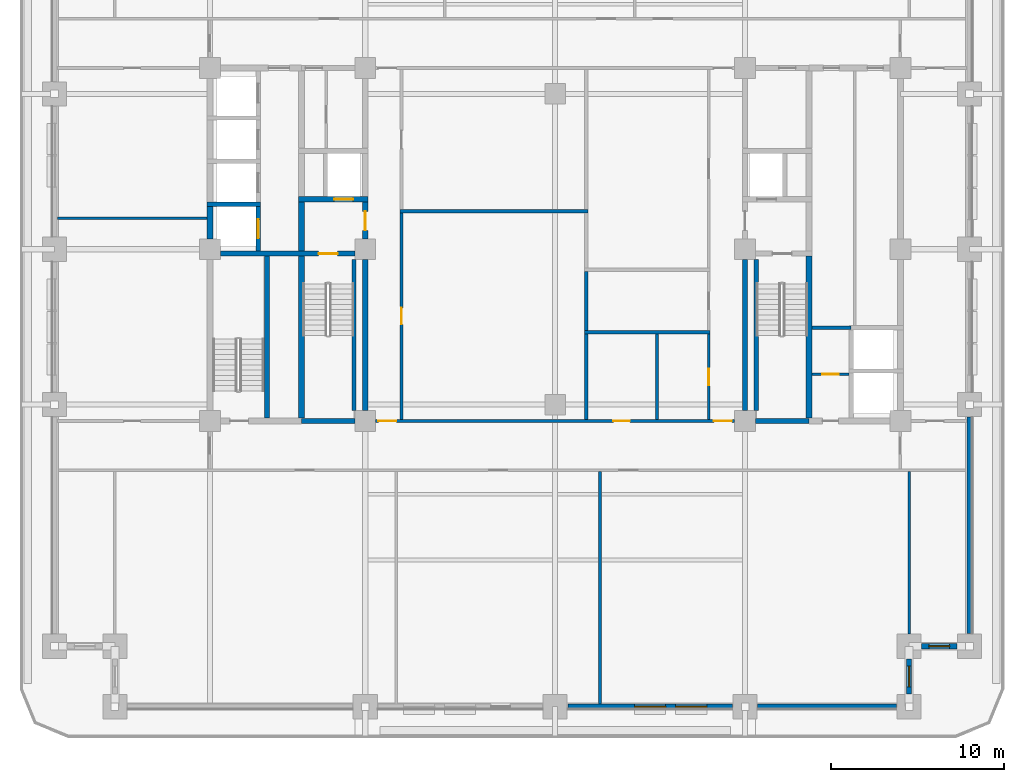
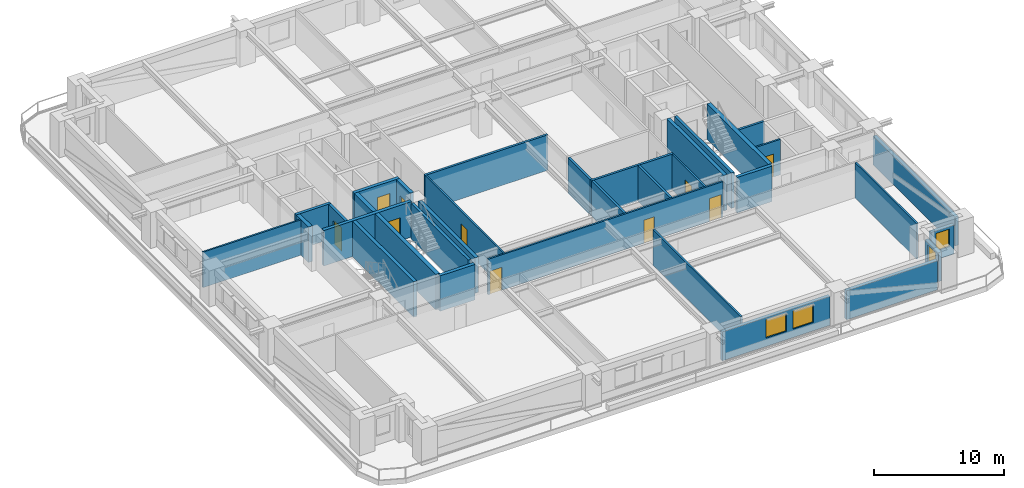
# One storey, part 3 of 14: 34 walls, 10 doors, 4 windows, 14 openings.
"""IFC4 building model written with IfcOpenShell, lengths in metres."""

import ifcopenshell
import ifcopenshell.guid

model = None  # the IFC model being written
_history = None  # IfcOwnerHistory: only IFC2X3 demands one
_inside = {}  # id of a spatial element -> (the spatial element, [elements in it])
_under = {}  # id of a project, library or spatial element -> (it, [spatial elements below it])
_declared = {}  # id of a project -> (the project, [libraries it declares])
_typed = {}  # id of a type object -> (the type object, [elements of that type])
_made_of = {}  # id of a material, layer set ... -> (it, [elements and type objects made of it])


def new_model(schema):
    """Start an empty IFC model of exactly this schema.

    Asked for "IFC4X3", IfcOpenShell would pick the latest addendum, in which some entities
    have other attributes; the version numbers below select the first issue.
    IFC2X3 requires an IfcOwnerHistory on every rooted entity: one is made here for all.
    """
    global model, _history
    if schema == "IFC4X3":
        model = ifcopenshell.file(schema_version=(4, 3, 0, 0))
    else:
        model = ifcopenshell.file(schema=schema)
    _inside.clear()
    _under.clear()
    _declared.clear()
    _typed.clear()
    _made_of.clear()
    _history = None
    if model.schema == "IFC2X3":
        org = make("IfcOrganization", Name="unknown")
        user = make(
            "IfcPersonAndOrganization",
            ThePerson=make("IfcPerson", FamilyName="unknown"),
            TheOrganization=org,
        )
        app = make(
            "IfcApplication",
            ApplicationDeveloper=org,
            Version="unknown",
            ApplicationFullName="unknown",
            ApplicationIdentifier="unknown",
        )
        _history = make(
            "IfcOwnerHistory",
            OwningUser=user,
            OwningApplication=app,
            ChangeAction="ADDED",
            CreationDate=0,
        )
    return model


def make(cls, **values):
    """One entity of the class cls with the attributes given. An attribute that is None is left unset."""
    return model.create_entity(
        cls, **{name: value for name, value in values.items() if value is not None}
    )


def rooted(cls, **values):
    """An entity with a GlobalId (a new one), such as an element, a storey or a relation."""
    return make(cls, GlobalId=ifcopenshell.guid.new(), OwnerHistory=_history, **values)


def si_unit(unit_type, name, prefix=None):
    """IfcSIUnit, for example si_unit("LENGTHUNIT", "METRE", prefix="MILLI")."""
    return make("IfcSIUnit", UnitType=unit_type, Prefix=prefix, Name=name)


def assignment(units):
    """IfcUnitAssignment: the units of a project."""
    return None if units is None else make("IfcUnitAssignment", Units=units)


def point(xyz):
    """IfcCartesianPoint."""
    return None if xyz is None else make("IfcCartesianPoint", Coordinates=xyz)


def direction(xyz):
    """IfcDirection."""
    return None if xyz is None else make("IfcDirection", DirectionRatios=xyz)


def frame(location, z_axis=None, x_axis=None):
    """IfcAxis2Placement3D, a coordinate frame: its origin and axes. An axis left out is left unset."""
    return make(
        "IfcAxis2Placement3D",
        Location=point(location),
        Axis=direction(z_axis),
        RefDirection=direction(x_axis),
    )


def frame_2d(location, x_axis=None):
    """IfcAxis2Placement2D, a coordinate frame in the plane: its origin and x axis."""
    return make(
        "IfcAxis2Placement2D", Location=point(location), RefDirection=direction(x_axis)
    )


def origin():
    """The frame at (0, 0, 0) with its axes left unset."""
    return frame((0.0, 0.0, 0.0))


def place(relative_to, where):
    """IfcLocalPlacement: puts the frame where relative to a parent placement (None: the world)."""
    return make(
        "IfcLocalPlacement", PlacementRelTo=relative_to, RelativePlacement=where
    )


def context(
    kind, dimensions, precision=None, world=None, true_north=None, identifier=None
):
    """IfcGeometricRepresentationContext, for example the 3D "Model" context."""
    return make(
        "IfcGeometricRepresentationContext",
        ContextIdentifier=identifier,
        ContextType=kind,
        CoordinateSpaceDimension=dimensions,
        Precision=precision,
        WorldCoordinateSystem=world,
        TrueNorth=true_north,
    )


def subcontext(parent, identifier, kind, view, scale=None):
    """IfcGeometricRepresentationSubContext, for example "Body" below "Model"."""
    return make(
        "IfcGeometricRepresentationSubContext",
        ContextIdentifier=identifier,
        ContextType=kind,
        ParentContext=parent,
        TargetScale=scale,
        TargetView=view,
    )


def project(units=None, contexts=None):
    """IfcProject with its units and contexts."""
    return rooted(
        "IfcProject",
        Name="project",
        RepresentationContexts=contexts,
        UnitsInContext=assignment(units),
    )


def spatial(cls, under=None, at=None, **own):
    """A site, building, storey or space (cls), placed at a placement, below another one or the project."""
    s = rooted(cls, ObjectPlacement=at, **own)
    if under is not None:
        _under.setdefault(under.id(), (under, []))[1].append(s)
    return s


def profile(cls, at=None, kind="AREA", **sizes):
    """A parametric profile (cls). Its sizes go by their IFC names, for example OverallWidth=200.0."""
    return make(cls, ProfileType=kind, Position=at, **sizes)


def rectangle(**sizes):
    """IfcRectangleProfileDef."""
    return profile("IfcRectangleProfileDef", **sizes)


def extrude(swept, where, along, depth):
    """IfcExtrudedAreaSolid: the profile swept, set in the frame where, extruded along a direction by depth."""
    return make(
        "IfcExtrudedAreaSolid",
        SweptArea=swept,
        Position=where,
        ExtrudedDirection=direction(along),
        Depth=depth,
    )


def shape(context_of_items, identifier, shape_type, items):
    """IfcShapeRepresentation: the items that make up one representation, for example the "Body"."""
    return make(
        "IfcShapeRepresentation",
        ContextOfItems=context_of_items,
        RepresentationIdentifier=identifier,
        RepresentationType=shape_type,
        Items=items,
    )


def material(Name=None, Category=None):
    """IfcMaterial."""
    return make("IfcMaterial", Name=Name, Category=Category)


def layer(
    of_material, thickness, ventilated=None, Name=None, Category=None, Priority=None
):
    """IfcMaterialLayer: one layer of a wall or slab, of a material (None: an air gap)."""
    return make(
        "IfcMaterialLayer",
        Material=of_material,
        LayerThickness=thickness,
        IsVentilated=ventilated,
        Name=Name,
        Category=Category,
        Priority=Priority,
    )


def layer_set(layers, Name=None):
    """IfcMaterialLayerSet."""
    return make("IfcMaterialLayerSet", MaterialLayers=layers, LayerSetName=Name)


def made_of(thing, what):
    """Note that an element or type object is made of a material, layer set ...; save() writes the relation."""
    if what is not None:
        _made_of.setdefault(what.id(), (what, []))[1].append(thing)
    return thing


def type_object(cls, material=None, **own):
    """A type object (cls), such as IfcWallType, which elements share."""
    return made_of(rooted(cls, **own), material)


def element(
    cls,
    number,
    at=None,
    inside=None,
    cuts=None,
    type_object=None,
    material=None,
    context=None,
    identifier="Body",
    shape_type=None,
    held_by="IfcProductDefinitionShape",
    body=None,
    shapes=None,
    **own,
):
    """One element of the class cls, such as IfcWall. Its Tag is "e" and its number.

    at: its placement. inside: the storey or other place that contains it. cuts: it is an
    opening in that element (IfcRelVoidsElement). A single representation is given by context,
    identifier, shape_type and body (its items); several are given by shapes. held_by: the class
    of the entity that holds the representations. save() writes the other relations.
    """
    e = rooted(cls, Tag="e%d" % number, ObjectPlacement=at, **own)
    if body is not None:
        shapes = [shape(context, identifier, shape_type, body)]
    if shapes is not None:
        e.Representation = make(held_by, Representations=shapes)
    if inside is not None:
        _inside.setdefault(inside.id(), (inside, []))[1].append(e)
    if cuts is not None:
        rooted(
            "IfcRelVoidsElement", RelatingBuildingElement=cuts, RelatedOpeningElement=e
        )
    if type_object is not None:
        _typed.setdefault(type_object.id(), (type_object, []))[1].append(e)
    return made_of(e, material)


def fill(opening, filler):
    """IfcRelFillsElement: the door or window that sits in an opening."""
    return rooted(
        "IfcRelFillsElement",
        RelatingOpeningElement=opening,
        RelatedBuildingElement=filler,
    )


def aggregate(whole, parts):
    """IfcRelAggregates: a whole, such as a stair, and the parts it consists of."""
    return rooted("IfcRelAggregates", RelatingObject=whole, RelatedObjects=parts)


def save(model, path):
    """Write the relations noted so far, then the file.

    IfcRelAggregates (storeys below a building ...), IfcRelContainedInSpatialStructure (elements
    in a storey), IfcRelDefinesByType, IfcRelAssociatesMaterial and IfcRelDeclares: one each for
    every whole, place, type object, material and project.
    """
    for whole, parts in _under.values():
        aggregate(whole, parts)
    for where, things in _inside.values():
        rooted(
            "IfcRelContainedInSpatialStructure",
            RelatedElements=things,
            RelatingStructure=where,
        )
    for kind, things in _typed.values():
        rooted("IfcRelDefinesByType", RelatedObjects=things, RelatingType=kind)
    for what, things in _made_of.values():
        rooted("IfcRelAssociatesMaterial", RelatedObjects=things, RelatingMaterial=what)
    for by, libraries in _declared.values():
        rooted("IfcRelDeclares", RelatingContext=by, RelatedDefinitions=libraries)
    model.write(path)


model = new_model("IFC4")

# Units and contexts
model_context = context("Model", 3, precision=1e-05, world=origin(), true_north=direction((0.0, 1.0)))
body_context = subcontext(model_context, "Body", "Model", "MODEL_VIEW")
ifc_project = project(units=[si_unit("LENGTHUNIT", "METRE"), si_unit("AREAUNIT", "SQUARE_METRE"), si_unit("VOLUMEUNIT", "CUBIC_METRE"), si_unit("PLANEANGLEUNIT", "RADIAN"), si_unit("MASSUNIT", "GRAM", prefix="KILO")], contexts=[model_context])

# Site, building, storey
site_placement = place(None, origin())
site = spatial("IfcSite", under=ifc_project, at=site_placement, CompositionType="ELEMENT")
building_placement = place(site_placement, origin())
building = spatial("IfcBuilding", under=site, at=building_placement, Name="Zulmaris Gate Convention Tower", CompositionType="ELEMENT")
storey_placement = place(building_placement, frame((0.0, 0.0, 64.329833984375)))
storey = spatial("IfcBuildingStorey", under=building, at=storey_placement, Name="L15", CompositionType="ELEMENT", Elevation=64.329833984375)

# Wall
ifc_material_1 = material(Name="Concrete C50/60", Category="concrete")
ifc_layer_1 = layer(ifc_material_1, 0.25, Name="Concrete C50/60")
ifc_layer_set_1 = layer_set([ifc_layer_1], Name="Concrete C50/60")
wall_type_1 = type_object("IfcWallType", Name="CORE-250", PredefinedType="SOLIDWALL", material=ifc_layer_set_1)
wall_1_placement = place(storey_placement, frame((-20.175048828125, 2.60009765625, 0.0), z_axis=(0.0, 0.0, 1.0), x_axis=(1.0, 0.0, 0.0)))
element("IfcWall", 1, at=wall_1_placement, inside=storey, type_object=wall_type_1, Name="WL-L15-009", PredefinedType="SOLIDWALL", context=body_context, shape_type="SweptSolid", body=[
    extrude(rectangle(XDim=3.10009765625, YDim=0.25, at=frame_2d((1.550048828125, 0.0))), origin(), (0.0, 0.0, 1.0), 3.320068359375),
])

# Wall, opening, door
wall_2_placement = place(storey_placement, frame((-17.199951171875, -0.097900390625, 0.0), z_axis=(0.0, 0.0, 1.0), x_axis=(0.0, 1.0, 0.0)))
wall_2 = element("IfcWall", 2, at=wall_2_placement, inside=storey, type_object=wall_type_1, Name="WL-L15-039", PredefinedType="SOLIDWALL", context=body_context, shape_type="SweptSolid", body=[
    extrude(rectangle(XDim=2.57080078125, YDim=0.25, at=frame_2d((1.285400390625, 0.0))), origin(), (0.0, 0.0, 1.0), 3.320068359375),
])
opening_1_placement = place(wall_2_placement, frame((0.722900390625, 0.0, 0.0)))
opening_1 = element("IfcOpeningElement", 3, at=opening_1_placement, cuts=wall_2, Name="Opening D-06", PredefinedType="OPENING", context=body_context, shape_type="SweptSolid", body=[
    extrude(rectangle(XDim=1.10009765625, YDim=2.199951171875, at=frame_2d((0.550048828125, 1.10009765625))), frame((0.0, 0.135009765625, 0.0), z_axis=(0.0, -1.0, 0.0), x_axis=(1.0, 0.0, 0.0)), (0.0, 0.0, 1.0), 0.27001953125),
])
ifc_material_2 = material(Name="Brushed Stainless Steel", Category="steel")
door_type_1 = type_object("IfcDoorType", Name="LD-1100", OperationType="NOTDEFINED", PredefinedType="DOOR", material=ifc_material_2)
door_1_placement = place(opening_1_placement, origin())
door_1 = element("IfcDoor", 4, at=door_1_placement, inside=storey, type_object=door_type_1, Name="L15 Lift Landing Door LP-01 12", OperationType="SLIDING_TO_LEFT", OverallHeight=2.199951171875, OverallWidth=1.10009765625, PredefinedType="DOOR", context=body_context, shape_type="SweptSolid", body=[
    extrude(rectangle(XDim=1.10009765625, YDim=2.199951171875, at=frame_2d((0.550048828125, 1.10009765625))), frame((0.0, 0.02490234375, 0.0), z_axis=(0.0, -1.0, 0.0), x_axis=(1.0, 0.0, 0.0)), (0.0, 0.0, 1.0), 0.050048828125),
])
fill(opening_1, door_1)

# Walls
for number, where, z_axis, x_axis, name in (
    (5, (-11.64990234375, -9.345947265625, 0.0), (0.0, 0.0, 1.0), (0.0, 1.0, 0.0), "WL-L15-049"),
    (6, (11.64990234375, -9.345947265625, 0.0), (0.0, 0.0, 1.0), (0.0, 1.0, 0.0), "WL-L15-058"),
):
    element("IfcWall", number, at=place(storey_placement, frame(where, z_axis=z_axis, x_axis=x_axis)), inside=storey, type_object=wall_type_1, Name=name, PredefinedType="SOLIDWALL", context=body_context, shape_type="SweptSolid", body=[
        extrude(rectangle(XDim=8.741943359375, YDim=0.25, at=frame_2d((4.37109375, 0.0))), origin(), (0.0, 0.0, 1.0), 3.320068359375),
    ])
ifc_layer_2 = layer(ifc_material_1, 0.300048828125, Name="Concrete C50/60")
ifc_layer_set_2 = layer_set([ifc_layer_2], Name="Concrete C50/60")
wall_type_2 = type_object("IfcWallType", Name="CORE-300", PredefinedType="SHEAR", material=ifc_layer_set_2)
for number, where, z_axis, x_axis, name in (
    (7, (-14.699951171875, -9.949951171875, 0.0), (0.0, 0.0, 1.0), (1.0, 0.0, 0.0), "WL-L15-002"),
    (8, (11.60400390625, -9.949951171875, 0.0), (0.0, 0.0, 1.0), (1.0, 0.0, 0.0), "WL-L15-003"),
):
    element("IfcWall", number, at=place(storey_placement, frame(where, z_axis=z_axis, x_axis=x_axis)), inside=storey, type_object=wall_type_2, Name=name, PredefinedType="SHEAR", context=body_context, shape_type="SweptSolid", body=[
        extrude(rectangle(XDim=3.095947265625, YDim=0.300048828125, at=frame_2d((1.5478515625, 0.0))), origin(), (0.0, 0.0, 1.0), 3.320068359375),
    ])

# Wall, opening, door
wall_3_placement = place(storey_placement, frame((-19.39599609375, -0.25, 0.0), z_axis=(0.0, 0.0, 1.0), x_axis=(1.0, 0.0, 0.0)))
wall_3 = element("IfcWall", 9, at=wall_3_placement, inside=storey, type_object=wall_type_2, Name="WL-L15-007", PredefinedType="SHEAR", context=body_context, shape_type="SweptSolid", body=[
    extrude(rectangle(XDim=7.7919921875, YDim=0.300048828125, at=frame_2d((3.89599609375, 0.0))), origin(), (0.0, 0.0, 1.0), 3.320068359375),
])
opening_2_placement = place(wall_3_placement, frame((5.696044921875, 0.0, 0.0)))
opening_2 = element("IfcOpeningElement", 10, at=opening_2_placement, cuts=wall_3, Name="Opening D-08", PredefinedType="OPENING", context=body_context, shape_type="SweptSolid", body=[
    extrude(rectangle(XDim=1.10009765625, YDim=2.14990234375, at=frame_2d((0.550048828125, 1.074951171875))), frame((0.0, 0.16015625, 0.0), z_axis=(0.0, -1.0, 0.0), x_axis=(1.0, 0.0, 0.0)), (0.0, 0.0, 1.0), 0.320068359375),
])
ifc_material_3 = material(Name="Fire-Rated Steel", Category="steel")
door_type_2 = type_object("IfcDoorType", Name="DR-1100-FD", OperationType="NOTDEFINED", PredefinedType="DOOR", material=ifc_material_3)
door_2_placement = place(opening_2_placement, origin())
door_2 = element("IfcDoor", 11, at=door_2_placement, inside=storey, type_object=door_type_2, Name="L15 Exit Stair ST-1 Door 01", OperationType="SINGLE_SWING_LEFT", OverallHeight=2.14990234375, OverallWidth=1.10009765625, PredefinedType="DOOR", context=body_context, shape_type="SweptSolid", body=[
    extrude(rectangle(XDim=1.10009765625, YDim=2.14990234375, at=frame_2d((0.550048828125, 1.074951171875))), frame((0.0, 0.02490234375, 0.0), z_axis=(0.0, -1.0, 0.0), x_axis=(1.0, 0.0, 0.0)), (0.0, 0.0, 1.0), 0.050048828125),
])
fill(opening_2, door_2)

wall_4_placement = place(storey_placement, frame((-14.875, 2.89990234375, 0.0), z_axis=(0.0, 0.0, 1.0), x_axis=(1.0, 0.0, 0.0)))
wall_4 = element("IfcWall", 12, at=wall_4_placement, inside=storey, type_object=wall_type_2, Name="WL-L15-010", PredefinedType="SHEAR", context=body_context, shape_type="SweptSolid", body=[
    extrude(rectangle(XDim=4.02490234375, YDim=0.300048828125, at=frame_2d((2.012451171875, 0.0))), origin(), (0.0, 0.0, 1.0), 3.320068359375),
])
opening_3_placement = place(wall_4_placement, frame((2.074951171875, 0.0, 0.0)))
opening_3 = element("IfcOpeningElement", 13, at=opening_3_placement, cuts=wall_4, Name="Opening D-06", PredefinedType="OPENING", context=body_context, shape_type="SweptSolid", body=[
    extrude(rectangle(XDim=1.10009765625, YDim=2.199951171875, at=frame_2d((0.550048828125, 1.10009765625))), frame((0.0, 0.16015625, 0.0), z_axis=(0.0, -1.0, 0.0), x_axis=(1.0, 0.0, 0.0)), (0.0, 0.0, 1.0), 0.320068359375),
])
door_3_placement = place(opening_3_placement, origin())
door_3 = element("IfcDoor", 14, at=door_3_placement, inside=storey, type_object=door_type_1, Name="L15 Lift Landing Door LF-01 03", OperationType="SLIDING_TO_LEFT", OverallHeight=2.199951171875, OverallWidth=1.10009765625, PredefinedType="DOOR", context=body_context, shape_type="SweptSolid", body=[
    extrude(rectangle(XDim=1.10009765625, YDim=2.199951171875, at=frame_2d((0.550048828125, 1.10009765625))), frame((0.0, 0.02490234375, 0.0), z_axis=(0.0, -1.0, 0.0), x_axis=(1.0, 0.0, 0.0)), (0.0, 0.0, 1.0), 0.050048828125),
])
fill(opening_3, door_3)

# Walls
wall_5_placement = place(storey_placement, frame((-16.699951171875, -9.77294921875, 0.0), z_axis=(0.0, 0.0, 1.0), x_axis=(0.0, 1.0, 0.0)))
element("IfcWall", 15, at=wall_5_placement, inside=storey, type_object=wall_type_2, Name="WL-L15-043", PredefinedType="SHEAR", context=body_context, shape_type="SweptSolid", body=[
    extrude(rectangle(XDim=9.370849609375, YDim=0.300048828125, at=frame_2d((4.685546875, 0.0))), origin(), (0.0, 0.0, 1.0), 3.320068359375),
])
wall_6_placement = place(storey_placement, frame((-11.0, -9.345947265625, 0.0), z_axis=(0.0, 0.0, 1.0), x_axis=(0.0, 1.0, 0.0)))
element("IfcWall", 16, at=wall_6_placement, inside=storey, type_object=wall_type_2, Name="WL-L15-050", PredefinedType="SHEAR", context=body_context, shape_type="SweptSolid", body=[
    extrude(rectangle(XDim=8.741943359375, YDim=0.300048828125, at=frame_2d((4.37109375, 0.0))), origin(), (0.0, 0.0, 1.0), 3.320068359375),
])

# Wall, opening, door
wall_7_placement = place(storey_placement, frame((-11.0, 0.60400390625, 0.0), z_axis=(0.0, 0.0, 1.0), x_axis=(0.0, 1.0, 0.0)))
wall_7 = element("IfcWall", 17, at=wall_7_placement, inside=storey, type_object=wall_type_2, Name="WL-L15-051", PredefinedType="SHEAR", context=body_context, shape_type="SweptSolid", body=[
    extrude(rectangle(XDim=2.14404296875, YDim=0.300048828125, at=frame_2d((1.072021484375, 0.0))), origin(), (0.0, 0.0, 1.0), 3.320068359375),
])
opening_4_placement = place(wall_7_placement, frame((0.49609375, 0.0, 0.0)))
opening_4 = element("IfcOpeningElement", 18, at=opening_4_placement, cuts=wall_7, Name="Opening D-08", PredefinedType="OPENING", context=body_context, shape_type="SweptSolid", body=[
    extrude(rectangle(XDim=1.10009765625, YDim=2.14990234375, at=frame_2d((0.550048828125, 1.074951171875))), frame((0.0, 0.16015625, 0.0), z_axis=(0.0, -1.0, 0.0), x_axis=(1.0, 0.0, 0.0)), (0.0, 0.0, 1.0), 0.320068359375),
])
door_4_placement = place(opening_4_placement, origin())
door_4 = element("IfcDoor", 19, at=door_4_placement, inside=storey, type_object=door_type_2, Name="L15 West Firefighting Lobby Door 02", OperationType="SINGLE_SWING_RIGHT", OverallHeight=2.14990234375, OverallWidth=1.10009765625, PredefinedType="DOOR", context=body_context, shape_type="SweptSolid", body=[
    extrude(rectangle(XDim=1.10009765625, YDim=2.14990234375, at=frame_2d((0.550048828125, 1.074951171875))), frame((0.0, 0.02490234375, 0.0), z_axis=(0.0, -1.0, 0.0), x_axis=(1.0, 0.0, 0.0)), (0.0, 0.0, 1.0), 0.050048828125),
])
fill(opening_4, door_4)

# Walls
wall_8_placement = place(storey_placement, frame((11.0, -9.345947265625, 0.0), z_axis=(0.0, 0.0, 1.0), x_axis=(0.0, 1.0, 0.0)))
element("IfcWall", 20, at=wall_8_placement, inside=storey, type_object=wall_type_2, Name="WL-L15-054", PredefinedType="SHEAR", context=body_context, shape_type="SweptSolid", body=[
    extrude(rectangle(XDim=8.741943359375, YDim=0.300048828125, at=frame_2d((4.37109375, 0.0))), origin(), (0.0, 0.0, 1.0), 3.320068359375),
])
ifc_material_4 = material(Name="Concrete C55/67", Category="concrete")
ifc_layer_3 = layer(ifc_material_4, 0.35009765625, Name="Concrete C55/67")
ifc_layer_set_3 = layer_set([ifc_layer_3], Name="Concrete C55/67")
wall_type_3 = type_object("IfcWallType", Name="CORE-350", PredefinedType="SHEAR", material=ifc_layer_set_3)
wall_9_placement = place(storey_placement, frame((-20.0, 0.60400390625, 0.0), z_axis=(0.0, 0.0, 1.0), x_axis=(0.0, 1.0, 0.0)))
element("IfcWall", 21, at=wall_9_placement, inside=storey, type_object=wall_type_3, Name="WL-L15-035", PredefinedType="SHEAR", context=body_context, shape_type="SweptSolid", body=[
    extrude(rectangle(XDim=1.868896484375, YDim=0.35009765625, at=frame_2d((0.9345703125, 0.0))), origin(), (0.0, 0.0, 1.0), 3.320068359375),
])
wall_10_placement = place(storey_placement, frame((-14.699951171875, -9.77294921875, 0.0), z_axis=(0.0, 0.0, 1.0), x_axis=(0.0, 1.0, 0.0)))
element("IfcWall", 22, at=wall_10_placement, inside=storey, type_object=wall_type_3, Name="WL-L15-044", PredefinedType="SHEAR", context=body_context, shape_type="SweptSolid", body=[
    extrude(rectangle(XDim=9.370849609375, YDim=0.35009765625, at=frame_2d((4.685546875, 0.0))), origin(), (0.0, 0.0, 1.0), 3.320068359375),
])
wall_11_placement = place(storey_placement, frame((-14.699951171875, -0.097900390625, 0.0), z_axis=(0.0, 0.0, 1.0), x_axis=(0.0, 1.0, 0.0)))
element("IfcWall", 23, at=wall_11_placement, inside=storey, type_object=wall_type_3, Name="WL-L15-045", PredefinedType="SHEAR", context=body_context, shape_type="SweptSolid", body=[
    extrude(rectangle(XDim=2.845947265625, YDim=0.35009765625, at=frame_2d((1.4228515625, 0.0))), origin(), (0.0, 0.0, 1.0), 3.320068359375),
])
wall_12_placement = place(storey_placement, frame((14.699951171875, -9.77294921875, 0.0), z_axis=(0.0, 0.0, 1.0), x_axis=(0.0, 1.0, 0.0)))
element("IfcWall", 24, at=wall_12_placement, inside=storey, type_object=wall_type_3, Name="WL-L15-060", PredefinedType="SHEAR", context=body_context, shape_type="SweptSolid", body=[
    extrude(rectangle(XDim=9.370849609375, YDim=0.35009765625, at=frame_2d((4.685546875, 0.0))), origin(), (0.0, 0.0, 1.0), 3.320068359375),
])

# Wall, openings, doors
ifc_material_5 = material(Name="Gypsum Metal Stud Partition")
ifc_layer_4 = layer(ifc_material_5, 0.14990234375, Name="Gypsum Metal Stud Partition")
ifc_layer_set_4 = layer_set([ifc_layer_4], Name="Gypsum Metal Stud Partition")
wall_type_4 = type_object("IfcWallType", Name="PART-150", PredefinedType="PARTITIONING", material=ifc_layer_set_4)
wall_13_placement = place(storey_placement, frame((-10.39404296875, -9.949951171875, 0.0), z_axis=(0.0, 0.0, 1.0), x_axis=(1.0, 0.0, 0.0)))
wall_13 = element("IfcWall", 25, at=wall_13_placement, inside=storey, type_object=wall_type_4, Name="WL-L15-022", PredefinedType="PARTITIONING", context=body_context, shape_type="SweptSolid", body=[
    extrude(rectangle(XDim=20.7880859375, YDim=0.14990234375, at=frame_2d((10.39404296875, 0.0))), origin(), (0.0, 0.0, 1.0), 3.320068359375),
])
opening_5_placement = place(wall_13_placement, frame((0.14990234375, 0.0, 0.0)))
opening_5 = element("IfcOpeningElement", 26, at=opening_5_placement, cuts=wall_13, Name="Opening D-09", PredefinedType="OPENING", context=body_context, shape_type="SweptSolid", body=[
    extrude(rectangle(XDim=1.050048828125, YDim=2.14990234375, at=frame_2d((0.52490234375, 1.074951171875))), frame((0.0, 0.0849609375, 0.0), z_axis=(0.0, -1.0, 0.0), x_axis=(1.0, 0.0, 0.0)), (0.0, 0.0, 1.0), 0.169921875),
])
opening_6_placement = place(wall_13_placement, frame((19.587890625, 0.0, 0.0)))
opening_6 = element("IfcOpeningElement", 27, at=opening_6_placement, cuts=wall_13, Name="Opening D-09", PredefinedType="OPENING", context=body_context, shape_type="SweptSolid", body=[
    extrude(rectangle(XDim=1.050048828125, YDim=2.14990234375, at=frame_2d((0.52490234375, 1.074951171875))), frame((0.0, 0.0849609375, 0.0), z_axis=(0.0, -1.0, 0.0), x_axis=(1.0, 0.0, 0.0)), (0.0, 0.0, 1.0), 0.169921875),
])
opening_7_placement = place(wall_13_placement, frame((13.76904296875, 0.0, 0.0)))
opening_7 = element("IfcOpeningElement", 28, at=opening_7_placement, cuts=wall_13, Name="Opening D-11", PredefinedType="OPENING", context=body_context, shape_type="SweptSolid", body=[
    extrude(rectangle(XDim=0.949951171875, YDim=2.14990234375, at=frame_2d((0.47509765625, 1.074951171875))), frame((0.0, 0.0849609375, 0.0), z_axis=(0.0, -1.0, 0.0), x_axis=(1.0, 0.0, 0.0)), (0.0, 0.0, 1.0), 0.169921875),
])
door_type_3 = type_object("IfcDoorType", Name="DR-1050-FD", OperationType="NOTDEFINED", PredefinedType="DOOR", material=ifc_material_3)
door_5_placement = place(opening_5_placement, origin())
door_5 = element("IfcDoor", 29, at=door_5_placement, inside=storey, type_object=door_type_3, Name="L15 SW Spine Link Door 21", OperationType="SINGLE_SWING_LEFT", OverallHeight=2.14990234375, OverallWidth=1.050048828125, PredefinedType="DOOR", context=body_context, shape_type="SweptSolid", body=[
    extrude(rectangle(XDim=1.050048828125, YDim=2.14990234375, at=frame_2d((0.52490234375, 1.074951171875))), frame((0.0, 0.02490234375, 0.0), z_axis=(0.0, -1.0, 0.0), x_axis=(1.0, 0.0, 0.0)), (0.0, 0.0, 1.0), 0.050048828125),
])
fill(opening_5, door_5)
door_6_placement = place(opening_6_placement, origin())
door_6 = element("IfcDoor", 30, at=door_6_placement, inside=storey, type_object=door_type_3, Name="L15 SE Spine Link Door 23", OperationType="SINGLE_SWING_LEFT", OverallHeight=2.14990234375, OverallWidth=1.050048828125, PredefinedType="DOOR", context=body_context, shape_type="SweptSolid", body=[
    extrude(rectangle(XDim=1.050048828125, YDim=2.14990234375, at=frame_2d((0.52490234375, 1.074951171875))), frame((0.0, 0.02490234375, 0.0), z_axis=(0.0, -1.0, 0.0), x_axis=(1.0, 0.0, 0.0)), (0.0, 0.0, 1.0), 0.050048828125),
])
fill(opening_6, door_6)
ifc_material_6 = material(Name="Fire-Rated Timber", Category="wood")
door_type_4 = type_object("IfcDoorType", Name="DR-950-FD", OperationType="NOTDEFINED", PredefinedType="DOOR", material=ifc_material_6)
door_7_placement = place(opening_7_placement, origin())
door_7 = element("IfcDoor", 31, at=door_7_placement, inside=storey, type_object=door_type_4, Name="L15 Print Room Door 35", OperationType="SINGLE_SWING_LEFT", OverallHeight=2.14990234375, OverallWidth=0.949951171875, PredefinedType="DOOR", context=body_context, shape_type="SweptSolid", body=[
    extrude(rectangle(XDim=0.949951171875, YDim=2.14990234375, at=frame_2d((0.47509765625, 1.074951171875))), frame((0.0, 0.02490234375, 0.0), z_axis=(0.0, -1.0, 0.0), x_axis=(1.0, 0.0, 0.0)), (0.0, 0.0, 1.0), 0.050048828125),
])
fill(opening_7, door_7)

# Wall, opening, door
wall_14_placement = place(storey_placement, frame((14.8779296875, -7.25, 0.0), z_axis=(0.0, 0.0, 1.0), x_axis=(1.0, 0.0, 0.0)))
wall_14 = element("IfcWall", 32, at=wall_14_placement, inside=storey, type_object=wall_type_4, Name="WL-L15-024", PredefinedType="PARTITIONING", context=body_context, shape_type="SweptSolid", body=[
    extrude(rectangle(XDim=2.14404296875, YDim=0.14990234375, at=frame_2d((1.072021484375, 0.0))), origin(), (0.0, 0.0, 1.0), 3.320068359375),
])
opening_8_placement = place(wall_14_placement, frame((0.596923828125, 0.0, 0.0)))
opening_8 = element("IfcOpeningElement", 33, at=opening_8_placement, cuts=wall_14, Name="Opening D-11", PredefinedType="OPENING", context=body_context, shape_type="SweptSolid", body=[
    extrude(rectangle(XDim=0.949951171875, YDim=2.14990234375, at=frame_2d((0.47509765625, 1.074951171875))), frame((0.0, 0.0849609375, 0.0), z_axis=(0.0, -1.0, 0.0), x_axis=(1.0, 0.0, 0.0)), (0.0, 0.0, 1.0), 0.169921875),
])
door_8_placement = place(opening_8_placement, origin())
door_8 = element("IfcDoor", 34, at=door_8_placement, inside=storey, type_object=door_type_4, Name="L15 East Meter Store Door 17", OperationType="SINGLE_SWING_LEFT", OverallHeight=2.14990234375, OverallWidth=0.949951171875, PredefinedType="DOOR", context=body_context, shape_type="SweptSolid", body=[
    extrude(rectangle(XDim=0.949951171875, YDim=2.14990234375, at=frame_2d((0.47509765625, 1.074951171875))), frame((0.0, 0.02490234375, 0.0), z_axis=(0.0, -1.0, 0.0), x_axis=(1.0, 0.0, 0.0)), (0.0, 0.0, 1.0), 0.050048828125),
])
fill(opening_8, door_8)

# Wall
wall_15_placement = place(storey_placement, frame((-28.8349609375, 1.800048828125, 0.0), z_axis=(0.0, 0.0, 1.0), x_axis=(1.0, 0.0, 0.0)))
element("IfcWall", 35, at=wall_15_placement, inside=storey, type_object=wall_type_4, Name="WL-L15-028", PredefinedType="PARTITIONING", context=body_context, shape_type="SweptSolid", body=[
    extrude(rectangle(XDim=8.656982421875, YDim=0.14990234375, at=frame_2d((4.32861328125, 0.0))), origin(), (0.0, 0.0, 1.0), 3.320068359375),
])

# Wall, opening, door
wall_16_placement = place(storey_placement, frame((-8.89990234375, -9.8720703125, 0.0), z_axis=(0.0, 0.0, 1.0), x_axis=(0.0, 1.0, 0.0)))
wall_16 = element("IfcWall", 36, at=wall_16_placement, inside=storey, type_object=wall_type_4, Name="WL-L15-075", PredefinedType="PARTITIONING", context=body_context, shape_type="SweptSolid", body=[
    extrude(rectangle(XDim=11.968994140625, YDim=0.14990234375, at=frame_2d((5.984375, 0.0))), origin(), (0.0, 0.0, 1.0), 3.320068359375),
])
opening_9_placement = place(wall_16_placement, frame((5.527099609375, 0.0, 0.0)))
opening_9 = element("IfcOpeningElement", 37, at=opening_9_placement, cuts=wall_16, Name="Opening D-11", PredefinedType="OPENING", context=body_context, shape_type="SweptSolid", body=[
    extrude(rectangle(XDim=0.949951171875, YDim=2.14990234375, at=frame_2d((0.47509765625, 1.074951171875))), frame((0.0, 0.0849609375, 0.0), z_axis=(0.0, -1.0, 0.0), x_axis=(1.0, 0.0, 0.0)), (0.0, 0.0, 1.0), 0.169921875),
])
door_9_placement = place(opening_9_placement, origin())
door_9 = element("IfcDoor", 38, at=door_9_placement, inside=storey, type_object=door_type_4, Name="L15 Wellness Pantry Door 31", OperationType="SINGLE_SWING_LEFT", OverallHeight=2.14990234375, OverallWidth=0.949951171875, PredefinedType="DOOR", context=body_context, shape_type="SweptSolid", body=[
    extrude(rectangle(XDim=0.949951171875, YDim=2.14990234375, at=frame_2d((0.47509765625, 1.074951171875))), frame((0.0, 0.02490234375, 0.0), z_axis=(0.0, -1.0, 0.0), x_axis=(1.0, 0.0, 0.0)), (0.0, 0.0, 1.0), 0.050048828125),
])
fill(opening_9, door_9)

# Wall
wall_17_placement = place(storey_placement, frame((2.60009765625, -26.3349609375, 0.0), z_axis=(0.0, 0.0, 1.0), x_axis=(0.0, 1.0, 0.0)))
element("IfcWall", 39, at=wall_17_placement, inside=storey, type_object=wall_type_4, Name="WL-L15-082", PredefinedType="PARTITIONING", context=body_context, shape_type="SweptSolid", body=[
    extrude(rectangle(XDim=13.45703125, YDim=0.14990234375, at=frame_2d((6.728515625, 0.0))), origin(), (0.0, 0.0, 1.0), 3.320068359375),
])

# Wall, opening, door
wall_18_placement = place(storey_placement, frame((8.89990234375, -9.8720703125, 0.0), z_axis=(0.0, 0.0, 1.0), x_axis=(0.0, 1.0, 0.0)))
wall_18 = element("IfcWall", 40, at=wall_18_placement, inside=storey, type_object=wall_type_4, Name="WL-L15-085", PredefinedType="PARTITIONING", context=body_context, shape_type="SweptSolid", body=[
    extrude(rectangle(XDim=4.968994140625, YDim=0.14990234375, at=frame_2d((2.484375, 0.0))), origin(), (0.0, 0.0, 1.0), 3.320068359375),
])
opening_10_placement = place(wall_18_placement, frame((1.9970703125, 0.0, 0.0)))
opening_10 = element("IfcOpeningElement", 41, at=opening_10_placement, cuts=wall_18, Name="Opening D-11", PredefinedType="OPENING", context=body_context, shape_type="SweptSolid", body=[
    extrude(rectangle(XDim=0.949951171875, YDim=2.14990234375, at=frame_2d((0.47509765625, 1.074951171875))), frame((0.0, 0.0849609375, 0.0), z_axis=(0.0, -1.0, 0.0), x_axis=(1.0, 0.0, 0.0)), (0.0, 0.0, 1.0), 0.169921875),
])
door_10_placement = place(opening_10_placement, origin())
door_10 = element("IfcDoor", 42, at=door_10_placement, inside=storey, type_object=door_type_4, Name="L15 Accessible WC Door 34", OperationType="SINGLE_SWING_RIGHT", OverallHeight=2.14990234375, OverallWidth=0.949951171875, PredefinedType="DOOR", context=body_context, shape_type="SweptSolid", body=[
    extrude(rectangle(XDim=0.949951171875, YDim=2.14990234375, at=frame_2d((0.47509765625, 1.074951171875))), frame((0.0, 0.02490234375, 0.0), z_axis=(0.0, -1.0, 0.0), x_axis=(1.0, 0.0, 0.0)), (0.0, 0.0, 1.0), 0.050048828125),
])
fill(opening_10, door_10)

# Walls
wall_19_placement = place(storey_placement, frame((20.5, -22.2939453125, 0.0), z_axis=(0.0, 0.0, 1.0), x_axis=(0.0, 1.0, 0.0)))
element("IfcWall", 43, at=wall_19_placement, inside=storey, type_object=wall_type_4, Name="WL-L15-091", PredefinedType="PARTITIONING", context=body_context, shape_type="SweptSolid", body=[
    extrude(rectangle(XDim=9.416015625, YDim=0.14990234375, at=frame_2d((4.7080078125, 0.0))), origin(), (0.0, 0.0, 1.0), 3.320068359375),
])
ifc_material_7 = material(Name="Autoclaved Aerated Concrete Block and Plasterboard", Category="concrete")
ifc_layer_5 = layer(ifc_material_7, 0.199951171875, Name="Autoclaved Aerated Concrete Block and Plasterboard")
ifc_layer_set_5 = layer_set([ifc_layer_5], Name="Autoclaved Aerated Concrete Block and Plasterboard")
wall_type_5 = type_object("IfcWallType", Name="PART-200", PredefinedType="PARTITIONING", material=ifc_layer_set_5)
wall_20_placement = place(storey_placement, frame((1.699951171875, -4.800048828125, 0.0), z_axis=(0.0, 0.0, 1.0), x_axis=(1.0, 0.0, 0.0)))
element("IfcWall", 44, at=wall_20_placement, inside=storey, type_object=wall_type_5, Name="WL-L15-025", PredefinedType="PARTITIONING", context=body_context, shape_type="SweptSolid", body=[
    extrude(rectangle(XDim=7.275146484375, YDim=0.199951171875, at=frame_2d((3.6376953125, 0.0))), origin(), (0.0, 0.0, 1.0), 3.320068359375),
])
wall_21_placement = place(storey_placement, frame((14.8779296875, -4.550048828125, 0.0), z_axis=(0.0, 0.0, 1.0), x_axis=(1.0, 0.0, 0.0)))
element("IfcWall", 45, at=wall_21_placement, inside=storey, type_object=wall_type_5, Name="WL-L15-026", PredefinedType="PARTITIONING", context=body_context, shape_type="SweptSolid", body=[
    extrude(rectangle(XDim=2.27197265625, YDim=0.199951171875, at=frame_2d((1.135986328125, 0.0))), origin(), (0.0, 0.0, 1.0), 3.320068359375),
])
wall_22_placement = place(storey_placement, frame((-8.97509765625, 2.199951171875, 0.0), z_axis=(0.0, 0.0, 1.0), x_axis=(1.0, 0.0, 0.0)))
element("IfcWall", 46, at=wall_22_placement, inside=storey, type_object=wall_type_5, Name="WL-L15-029", PredefinedType="PARTITIONING", context=body_context, shape_type="SweptSolid", body=[
    extrude(rectangle(XDim=10.875, YDim=0.199951171875, at=frame_2d((5.4375, 0.0))), origin(), (0.0, 0.0, 1.0), 3.320068359375),
])
wall_23_placement = place(storey_placement, frame((1.800048828125, -9.8720703125, 0.0), z_axis=(0.0, 0.0, 1.0), x_axis=(0.0, 1.0, 0.0)))
element("IfcWall", 47, at=wall_23_placement, inside=storey, type_object=wall_type_5, Name="WL-L15-078", PredefinedType="PARTITIONING", context=body_context, shape_type="SweptSolid", body=[
    extrude(rectangle(XDim=4.968994140625, YDim=0.199951171875, at=frame_2d((2.484375, 0.0))), origin(), (0.0, 0.0, 1.0), 3.320068359375),
])
wall_24_placement = place(storey_placement, frame((1.800048828125, -4.697021484375, 0.0), z_axis=(0.0, 0.0, 1.0), x_axis=(0.0, 1.0, 0.0)))
element("IfcWall", 48, at=wall_24_placement, inside=storey, type_object=wall_type_5, Name="WL-L15-079", PredefinedType="PARTITIONING", context=body_context, shape_type="SweptSolid", body=[
    extrude(rectangle(XDim=3.39404296875, YDim=0.199951171875, at=frame_2d((1.697021484375, 0.0))), origin(), (0.0, 0.0, 1.0), 3.320068359375),
])
wall_25_placement = place(storey_placement, frame((5.89990234375, -9.8720703125, 0.0), z_axis=(0.0, 0.0, 1.0), x_axis=(0.0, 1.0, 0.0)))
element("IfcWall", 49, at=wall_25_placement, inside=storey, type_object=wall_type_5, Name="WL-L15-084", PredefinedType="PARTITIONING", context=body_context, shape_type="SweptSolid", body=[
    extrude(rectangle(XDim=4.968994140625, YDim=0.199951171875, at=frame_2d((2.484375, 0.0))), origin(), (0.0, 0.0, 1.0), 3.320068359375),
])

# Wall, opening, window
ifc_material_8 = material(Name="Precast concrete C40/50", Category="concrete")
ifc_layer_6 = layer(ifc_material_8, 0.300048828125, Name="Precast concrete C40/50")
ifc_layer_set_6 = layer_set([ifc_layer_6], Name="Precast concrete C40/50")
wall_type_6 = type_object("IfcWallType", Name="PRECAST-PIER-300", PredefinedType="STANDARD", material=ifc_layer_set_6)
wall_26_placement = place(storey_placement, frame((20.5, -25.77001953125, 0.0), z_axis=(0.0, 0.0, 1.0), x_axis=(0.0, 1.0, 0.0)))
wall_26 = element("IfcWall", 50, at=wall_26_placement, inside=storey, type_object=wall_type_6, Name="EW-L15-NOTCH-SE1_0", PredefinedType="STANDARD", context=body_context, shape_type="SweptSolid", body=[
    extrude(rectangle(XDim=2.0400390625, YDim=0.300048828125, at=frame_2d((1.02001953125, 0.0))), origin(), (0.0, 0.0, 1.0), 2.712158203125),
])
opening_11_placement = place(wall_26_placement, frame((0.419921875, 0.0, 0.820068359375)))
opening_11 = element("IfcOpeningElement", 51, at=opening_11_placement, cuts=wall_26, Name="Opening W-04", PredefinedType="OPENING", context=body_context, shape_type="SweptSolid", body=[
    extrude(rectangle(XDim=1.199951171875, YDim=1.64990234375, at=frame_2d((0.60009765625, 0.824951171875))), frame((0.0, 0.16015625, 0.0), z_axis=(0.0, -1.0, 0.0), x_axis=(1.0, 0.0, 0.0)), (0.0, 0.0, 1.0), 0.320068359375),
])
ifc_material_9 = material(Name="Low-E Laminated Double Glazing in Aluminium Frame", Category="aluminium")
window_type_1 = type_object("IfcWindowType", Name="WIN-1200x2100", PartitioningType="SINGLE_PANEL", PredefinedType="WINDOW", material=ifc_material_9)
window_1_placement = place(opening_11_placement, origin())
window_1 = element("IfcWindow", 52, at=window_1_placement, inside=storey, type_object=window_type_1, Name="WN-EW-L15-NOTCH-SE1_0", OverallHeight=1.64990234375, OverallWidth=1.199951171875, PartitioningType="SINGLE_PANEL", PredefinedType="WINDOW", context=body_context, shape_type="SweptSolid", body=[
    extrude(rectangle(XDim=1.199951171875, YDim=1.64990234375, at=frame_2d((0.60009765625, 0.824951171875))), frame((0.0, 0.030029296875, 0.0), z_axis=(0.0, -1.0, 0.0), x_axis=(1.0, 0.0, 0.0)), (0.0, 0.0, 1.0), 0.06005859375),
])
fill(opening_11, window_1)

wall_27_placement = place(storey_placement, frame((21.22998046875, -23.0, 0.0), z_axis=(0.0, 0.0, 1.0), x_axis=(1.0, 0.0, 0.0)))
wall_27 = element("IfcWall", 53, at=wall_27_placement, inside=storey, type_object=wall_type_6, Name="EW-L15-NOTCH-SE2_0", PredefinedType="STANDARD", context=body_context, shape_type="SweptSolid", body=[
    extrude(rectangle(XDim=2.0400390625, YDim=0.300048828125, at=frame_2d((1.02001953125, 0.0))), origin(), (0.0, 0.0, 1.0), 2.712158203125),
])
opening_12_placement = place(wall_27_placement, frame((0.419921875, 0.0, 0.820068359375)))
opening_12 = element("IfcOpeningElement", 54, at=opening_12_placement, cuts=wall_27, Name="Opening W-04", PredefinedType="OPENING", context=body_context, shape_type="SweptSolid", body=[
    extrude(rectangle(XDim=1.199951171875, YDim=1.64990234375, at=frame_2d((0.60009765625, 0.824951171875))), frame((0.0, 0.16015625, 0.0), z_axis=(0.0, -1.0, 0.0), x_axis=(1.0, 0.0, 0.0)), (0.0, 0.0, 1.0), 0.320068359375),
])
window_2_placement = place(opening_12_placement, origin())
window_2 = element("IfcWindow", 55, at=window_2_placement, inside=storey, type_object=window_type_1, Name="WN-EW-L15-NOTCH-SE2_0", OverallHeight=1.64990234375, OverallWidth=1.199951171875, PartitioningType="SINGLE_PANEL", PredefinedType="WINDOW", context=body_context, shape_type="SweptSolid", body=[
    extrude(rectangle(XDim=1.199951171875, YDim=1.64990234375, at=frame_2d((0.60009765625, 0.824951171875))), frame((0.0, 0.030029296875, 0.0), z_axis=(0.0, -1.0, 0.0), x_axis=(1.0, 0.0, 0.0)), (0.0, 0.0, 1.0), 0.06005859375),
])
fill(opening_12, window_2)

# Wall, openings, windows
wall_28_placement = place(storey_placement, frame((0.72998046875, -26.5, 0.0), z_axis=(0.0, 0.0, 1.0), x_axis=(1.0, 0.0, 0.0)))
wall_28 = element("IfcWall", 56, at=wall_28_placement, inside=storey, type_object=wall_type_6, Name="EW-L15-S-2_0", PredefinedType="STANDARD", context=body_context, shape_type="SweptSolid", body=[
    extrude(rectangle(XDim=9.5400390625, YDim=0.300048828125, at=frame_2d((4.77001953125, 0.0))), origin(), (0.0, 0.0, 1.0), 2.712158203125),
])
opening_13_placement = place(wall_28_placement, frame((3.8701171875, 0.0, 0.780029296875)))
opening_13 = element("IfcOpeningElement", 57, at=opening_13_placement, cuts=wall_28, Name="Opening W-02", PredefinedType="OPENING", context=body_context, shape_type="SweptSolid", body=[
    extrude(rectangle(XDim=1.800048828125, YDim=1.719970703125, at=frame_2d((0.89990234375, 0.85986328125))), frame((0.0, 0.16015625, 0.0), z_axis=(0.0, -1.0, 0.0), x_axis=(1.0, 0.0, 0.0)), (0.0, 0.0, 1.0), 0.320068359375),
])
opening_14_placement = place(wall_28_placement, frame((6.2548828125, 0.0, 0.780029296875)))
opening_14 = element("IfcOpeningElement", 58, at=opening_14_placement, cuts=wall_28, Name="Opening W-02", PredefinedType="OPENING", context=body_context, shape_type="SweptSolid", body=[
    extrude(rectangle(XDim=1.800048828125, YDim=1.719970703125, at=frame_2d((0.89990234375, 0.85986328125))), frame((0.0, 0.16015625, 0.0), z_axis=(0.0, -1.0, 0.0), x_axis=(1.0, 0.0, 0.0)), (0.0, 0.0, 1.0), 0.320068359375),
])
window_type_2 = type_object("IfcWindowType", Name="WIN-1800x2200", PartitioningType="SINGLE_PANEL", PredefinedType="WINDOW", material=ifc_material_9)
window_3_placement = place(opening_13_placement, origin())
window_3 = element("IfcWindow", 59, at=window_3_placement, inside=storey, type_object=window_type_2, Name="WN-EW-L15-S-2_0-2", OverallHeight=1.719970703125, OverallWidth=1.800048828125, PartitioningType="SINGLE_PANEL", PredefinedType="WINDOW", context=body_context, shape_type="SweptSolid", body=[
    extrude(rectangle(XDim=1.800048828125, YDim=1.719970703125, at=frame_2d((0.89990234375, 0.85986328125))), frame((0.0, 0.030029296875, 0.0), z_axis=(0.0, -1.0, 0.0), x_axis=(1.0, 0.0, 0.0)), (0.0, 0.0, 1.0), 0.06005859375),
])
fill(opening_13, window_3)
window_4_placement = place(opening_14_placement, origin())
window_4 = element("IfcWindow", 60, at=window_4_placement, inside=storey, type_object=window_type_2, Name="WN-EW-L15-S-2_0-3", OverallHeight=1.719970703125, OverallWidth=1.800048828125, PartitioningType="SINGLE_PANEL", PredefinedType="WINDOW", context=body_context, shape_type="SweptSolid", body=[
    extrude(rectangle(XDim=1.800048828125, YDim=1.719970703125, at=frame_2d((0.89990234375, 0.85986328125))), frame((0.0, 0.030029296875, 0.0), z_axis=(0.0, -1.0, 0.0), x_axis=(1.0, 0.0, 0.0)), (0.0, 0.0, 1.0), 0.06005859375),
])
fill(opening_14, window_4)

# Walls
wall_29_placement = place(storey_placement, frame((11.72998046875, -26.5, 0.0), z_axis=(0.0, 0.0, 1.0), x_axis=(1.0, 0.0, 0.0)))
element("IfcWall", 61, at=wall_29_placement, inside=storey, type_object=wall_type_6, Name="EW-L15-S-3_0", PredefinedType="STANDARD", context=body_context, shape_type="SweptSolid", body=[
    extrude(rectangle(XDim=8.0400390625, YDim=0.300048828125, at=frame_2d((4.02001953125, 0.0))), origin(), (0.0, 0.0, 1.0), 2.712158203125),
])
wall_30_placement = place(storey_placement, frame((24.0, -22.27001953125, 0.0), z_axis=(0.0, 0.0, 1.0), x_axis=(0.0, 1.0, 0.0)))
element("IfcWall", 62, at=wall_30_placement, inside=storey, type_object=wall_type_6, Name="EW-L15-E-0_0", PredefinedType="STANDARD", context=body_context, shape_type="SweptSolid", body=[
    extrude(rectangle(XDim=12.5400390625, YDim=0.300048828125, at=frame_2d((6.27001953125, 0.0))), origin(), (0.0, 0.0, 1.0), 2.712158203125),
])

save(model, "model.ifc")
